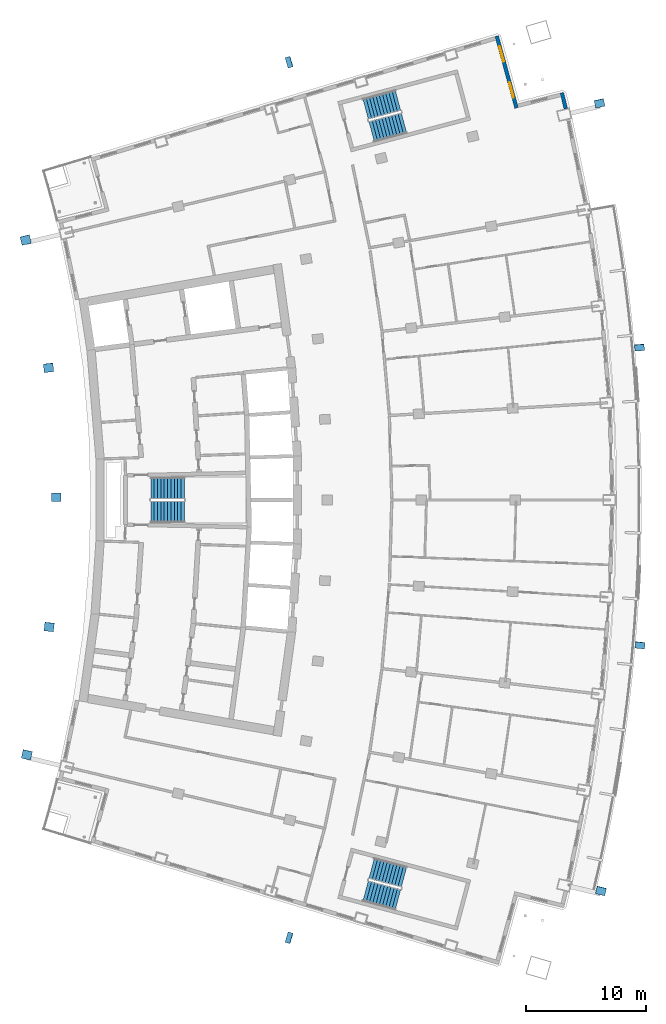
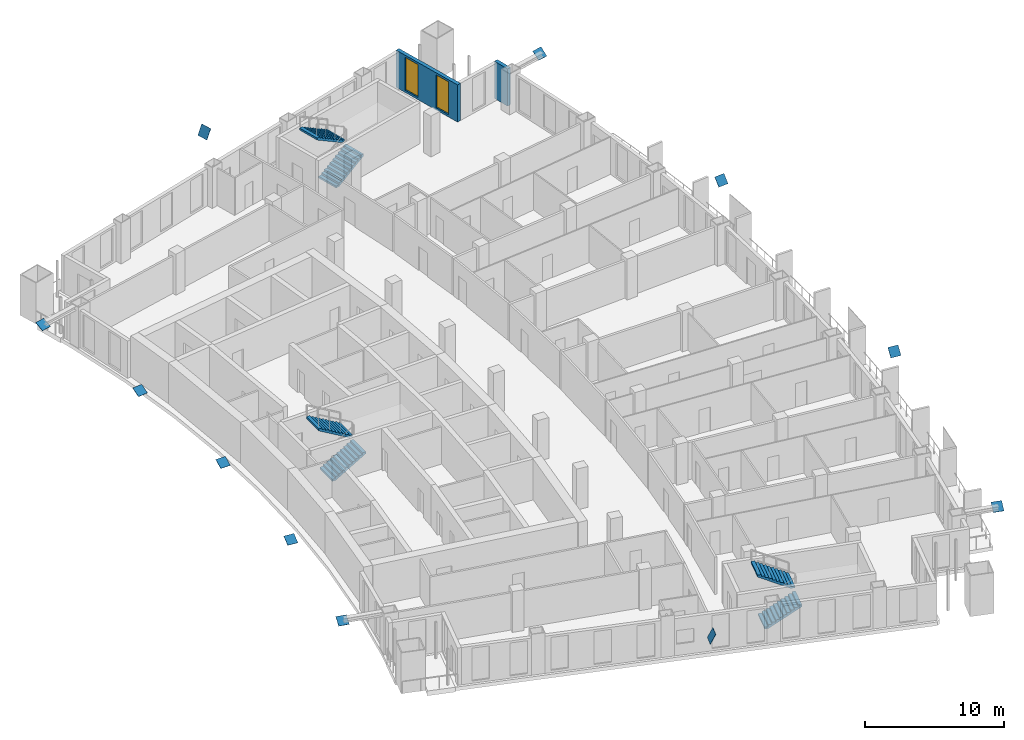
# One storey, part 17 of 20: 11 discrete accessories, 6 stair flights, 2 walls, 2 windows, 2 openings, 3 elements without a shape of their own.
"""IFC4 building model written with IfcOpenShell, lengths in metres."""

from ifc_helpers import new_model, si_unit, direction, frame, frame_2d, origin, origin_2d, place, context, subcontext, project, spatial, polyline, rectangle, outline, extrude, material, layer, layer_set, material_profile, profile_set, type_object, element, fill, aggregate, save


model = new_model("IFC4")

# Units and contexts
model_context = context("Model", 3, precision=1e-05, world=origin(), true_north=direction((0.0, 1.0)))
body_context = subcontext(model_context, "Body", "Model", "MODEL_VIEW")
ifc_project = project(units=[si_unit("LENGTHUNIT", "METRE"), si_unit("AREAUNIT", "SQUARE_METRE"), si_unit("VOLUMEUNIT", "CUBIC_METRE"), si_unit("PLANEANGLEUNIT", "RADIAN"), si_unit("MASSUNIT", "GRAM", prefix="KILO")], contexts=[model_context])

# Site, building, storey
site_placement = place(None, origin())
site = spatial("IfcSite", under=ifc_project, at=site_placement, CompositionType="ELEMENT")
building_placement = place(site_placement, origin())
building = spatial("IfcBuilding", under=site, at=building_placement, Name="Alderwake Tower", CompositionType="ELEMENT")
storey_placement = place(building_placement, frame((0.0, 0.0, 167.60009765625)))
storey = spatial("IfcBuildingStorey", under=building, at=storey_placement, Name="L41", CompositionType="ELEMENT", Elevation=167.60009765625)

# Wall
ifc_material_1 = material(Name="Precast concrete C50/60 spandrel panel", Category="concrete")
ifc_layer_1 = layer(ifc_material_1, 0.300048828125)
ifc_layer_set_1 = layer_set([ifc_layer_1], Name="External wall EW1 Precast concrete C50/60 spandrel")
wall_type_1 = type_object("IfcWallType", Name="External wall EW1 Precast concrete C50/60 spandrel", PredefinedType="SOLIDWALL", material=ifc_layer_set_1)
wall_1_placement = place(storey_placement, frame((55.757080078125, 93.73291015625, 0.0), z_axis=(0.0, 0.0, 1.0), x_axis=(-0.238372588169, 0.971173779099, 0.0)))
element("IfcWall", 1, at=wall_1_placement, inside=storey, type_object=wall_type_1, Name="External wall 20", PredefinedType="SOLIDWALL", context=body_context, shape_type="SweptSolid", body=[
    extrude(rectangle(XDim=1.380615234375, YDim=0.300048828125, at=frame_2d((0.6904296875, 0.0))), origin(), (0.0, 0.0, 1.0), 3.27978515625),
])

# Wall, openings, windows
ifc_material_2 = material(Name="Bronze metal cladding on lightweight framing")
ifc_layer_2 = layer(ifc_material_2, 0.300048828125)
ifc_layer_set_2 = layer_set([ifc_layer_2], Name="External wall EW2 bronze metal cladding")
wall_type_2 = type_object("IfcWallType", Name="External wall EW2 bronze metal cladding", PredefinedType="SOLIDWALL", material=ifc_layer_set_2)
wall_2_placement = place(storey_placement, frame((51.63134765625, 93.80322265625, 0.0), z_axis=(0.0, 0.0, 1.0), x_axis=(-0.265118255006, 0.964215904693, 0.0)))
wall_2 = element("IfcWall", 2, at=wall_2_placement, inside=storey, type_object=wall_type_2, Name="External wall 22", PredefinedType="SOLIDWALL", context=body_context, shape_type="SweptSolid", body=[
    extrude(rectangle(XDim=6.234375, YDim=0.300048828125, at=frame_2d((3.1171875, 0.0))), origin(), (0.0, 0.0, 1.0), 3.27978515625),
])
opening_1_placement = place(wall_2_placement, frame((0.90869140625, 0.0, 0.199951171875)))
opening_1 = element("IfcOpeningElement", 3, at=opening_1_placement, cuts=wall_2, Name="Opening W1", PredefinedType="OPENING", context=body_context, shape_type="SweptSolid", body=[
    extrude(rectangle(XDim=1.300048828125, YDim=2.89990234375, at=frame_2d((0.64990234375, 1.449951171875))), frame((0.0, 0.159912109375, 0.0), z_axis=(0.0, -1.0, 0.0), x_axis=(1.0, 0.0, 0.0)), (0.0, 0.0, 1.0), 0.320068359375),
])
opening_2_placement = place(wall_2_placement, frame((4.025634765625, 0.0, 0.199951171875)))
opening_2 = element("IfcOpeningElement", 4, at=opening_2_placement, cuts=wall_2, Name="Opening W1", PredefinedType="OPENING", context=body_context, shape_type="SweptSolid", body=[
    extrude(rectangle(XDim=1.300048828125, YDim=2.89990234375, at=frame_2d((0.64990234375, 1.449951171875))), frame((0.0, 0.159912109375, 0.0), z_axis=(0.0, -1.0, 0.0), x_axis=(1.0, 0.0, 0.0)), (0.0, 0.0, 1.0), 0.320068359375),
])
ifc_material_3 = material(Name="Bronze tinted glass in aluminium frame", Category="aluminium")
window_type = type_object("IfcWindowType", Name="Window W1 tall fixed and vent", PartitioningType="DOUBLE_PANEL_VERTICAL", PredefinedType="WINDOW", material=ifc_material_3)
window_1_placement = place(opening_1_placement, origin())
window_1 = element("IfcWindow", 5, at=window_1_placement, inside=storey, type_object=window_type, Name="Window W1 tall fixed and vent", OverallHeight=2.89990234375, OverallWidth=1.300048828125, PartitioningType="DOUBLE_PANEL_VERTICAL", PredefinedType="WINDOW", context=body_context, shape_type="SweptSolid", body=[
    extrude(rectangle(XDim=1.300048828125, YDim=2.89990234375, at=frame_2d((0.64990234375, 1.449951171875))), frame((0.0, 0.030029296875, 0.0), z_axis=(0.0, -1.0, 0.0), x_axis=(1.0, 0.0, 0.0)), (0.0, 0.0, 1.0), 0.06005859375),
])
fill(opening_1, window_1)
window_2_placement = place(opening_2_placement, origin())
window_2 = element("IfcWindow", 6, at=window_2_placement, inside=storey, type_object=window_type, Name="Window W1 tall fixed and vent", OverallHeight=2.89990234375, OverallWidth=1.300048828125, PartitioningType="DOUBLE_PANEL_VERTICAL", PredefinedType="WINDOW", context=body_context, shape_type="SweptSolid", body=[
    extrude(rectangle(XDim=1.300048828125, YDim=2.89990234375, at=frame_2d((0.64990234375, 1.449951171875))), frame((0.0, 0.030029296875, 0.0), z_axis=(0.0, -1.0, 0.0), x_axis=(1.0, 0.0, 0.0)), (0.0, 0.0, 1.0), 0.06005859375),
])
fill(opening_2, window_2)

# Stair, stair flights
ifc_material_4 = material(Name="Concrete C40/50", Category="concrete")
stair_type = type_object("IfcStairType", Name="Core exit stair", PredefinedType="HALF_TURN_STAIR", material=ifc_material_4)
stair_1_placement = place(storey_placement, origin())
stair_1 = element("IfcStair", 7, at=stair_1_placement, inside=storey, type_object=stair_type, Name="L41 Exit Stair B", PredefinedType="HALF_TURN_STAIR")
ifc_material_5 = material(Name="Concrete C40/50", Category="concrete")
ifc_layer_3 = layer(ifc_material_5, 0.14990234375)
ifc_layer_set_3 = layer_set([ifc_layer_3], Name="Core stair flight")
stair_flight_type = type_object("IfcStairFlightType", Name="Core stair flight", PredefinedType="STRAIGHT", material=ifc_layer_set_3)
stair_flight_1_placement = place(storey_placement, frame((21.0400390625, 60.02490234375, 0.0), z_axis=(0.0, 0.0, 1.0), x_axis=(1.0, 0.0, 0.0)))
stair_flight_1 = element("IfcStairFlight", 8, at=stair_flight_1_placement, type_object=stair_flight_type, Name="ST-B flight 1", NumberOfRisers=11, NumberOfTreads=10, PredefinedType="STRAIGHT", RiserHeight=0.163636364, TreadLength=0.28, context=body_context, shape_type="SweptSolid", body=[
    extrude(outline(polyline([(0.0, 0.0), (0.0, 0.16357421875), (0.280029296875, 0.16357421875), (0.280029296875, 0.327392578125), (0.56005859375, 0.327392578125), (0.56005859375, 0.490966796875), (0.840087890625, 0.490966796875), (0.840087890625, 0.654541015625), (1.1201171875, 0.654541015625), (1.1201171875, 0.818115234375), (1.39990234375, 0.818115234375), (1.39990234375, 0.98193359375), (1.679931640625, 0.98193359375), (1.679931640625, 1.1455078125), (1.9599609375, 1.1455078125), (1.9599609375, 1.30908203125), (2.239990234375, 1.30908203125), (2.239990234375, 1.47265625), (2.52001953125, 1.47265625), (2.52001953125, 1.636474609375), (2.800048828125, 1.636474609375), (2.800048828125, 1.800048828125), (2.800048828125, 1.462646484375), (0.297119140625, 0.0), (0.0, 0.0)])), frame((0.0, 0.89990234375, 0.0), z_axis=(0.0, -1.0, 0.0), x_axis=(1.0, 0.0, 0.0)), (0.0, 0.0, 1.0), 1.800048828125),
])
stair_flight_2_placement = place(storey_placement, frame((23.840087890625, 61.97509765625, 1.7998046875), z_axis=(0.0, 0.0, 1.0), x_axis=(-1.0, 0.0, 0.0)))
stair_flight_2 = element("IfcStairFlight", 9, at=stair_flight_2_placement, type_object=stair_flight_type, Name="ST-B flight 2", NumberOfRisers=11, NumberOfTreads=10, PredefinedType="STRAIGHT", RiserHeight=0.163636364, TreadLength=0.28, context=body_context, shape_type="SweptSolid", body=[
    extrude(outline(polyline([(0.0, 0.0), (0.0, 0.16357421875), (0.280029296875, 0.16357421875), (0.280029296875, 0.327392578125), (0.56005859375, 0.327392578125), (0.56005859375, 0.490966796875), (0.840087890625, 0.490966796875), (0.840087890625, 0.654541015625), (1.1201171875, 0.654541015625), (1.1201171875, 0.818115234375), (1.39990234375, 0.818115234375), (1.39990234375, 0.98193359375), (1.679931640625, 0.98193359375), (1.679931640625, 1.1455078125), (1.9599609375, 1.1455078125), (1.9599609375, 1.30908203125), (2.239990234375, 1.30908203125), (2.239990234375, 1.47265625), (2.52001953125, 1.47265625), (2.52001953125, 1.636474609375), (2.800048828125, 1.636474609375), (2.800048828125, 1.800048828125), (2.800048828125, 1.462646484375), (0.297119140625, 0.0), (0.0, 0.0)])), frame((0.0, 0.89990234375, 0.0), z_axis=(0.0, -1.0, 0.0), x_axis=(1.0, 0.0, 0.0)), (0.0, 0.0, 1.0), 1.800048828125),
])
aggregate(stair_1, [stair_flight_1, stair_flight_2])

stair_2_placement = place(storey_placement, origin())
stair_2 = element("IfcStair", 10, at=stair_2_placement, inside=storey, type_object=stair_type, Name="L41 Exit Stair A", PredefinedType="HALF_TURN_STAIR")
stair_flight_3_placement = place(storey_placement, frame((39.512939453125, 91.823974609375, 0.0), z_axis=(0.0, 0.0, 1.0), x_axis=(0.966309627437, 0.257382407951, 0.0)))
stair_flight_3 = element("IfcStairFlight", 11, at=stair_flight_3_placement, type_object=stair_flight_type, Name="ST-A flight 1", NumberOfRisers=11, NumberOfTreads=10, PredefinedType="STRAIGHT", RiserHeight=0.163636364, TreadLength=0.28, context=body_context, shape_type="SweptSolid", body=[
    extrude(outline(polyline([(0.0, 0.0), (0.0, 0.16357421875), (0.280029296875, 0.16357421875), (0.280029296875, 0.327392578125), (0.56005859375, 0.327392578125), (0.56005859375, 0.490966796875), (0.840087890625, 0.490966796875), (0.840087890625, 0.654541015625), (1.1201171875, 0.654541015625), (1.1201171875, 0.818115234375), (1.39990234375, 0.818115234375), (1.39990234375, 0.98193359375), (1.679931640625, 0.98193359375), (1.679931640625, 1.1455078125), (1.9599609375, 1.1455078125), (1.9599609375, 1.30908203125), (2.239990234375, 1.30908203125), (2.239990234375, 1.47265625), (2.52001953125, 1.47265625), (2.52001953125, 1.636474609375), (2.800048828125, 1.636474609375), (2.800048828125, 1.800048828125), (2.800048828125, 1.462646484375), (0.297119140625, 0.0), (0.0, 0.0)])), frame((0.0, 0.89990234375, 0.0), z_axis=(0.0, -1.0, 0.0), x_axis=(1.0, 0.0, 0.0)), (0.0, 0.0, 1.0), 1.800048828125),
])
stair_flight_4_placement = place(storey_placement, frame((41.716796875, 94.428955078125, 1.7998046875), z_axis=(0.0, 0.0, 1.0), x_axis=(-0.966309627437, -0.257382407951, 0.0)))
stair_flight_4 = element("IfcStairFlight", 12, at=stair_flight_4_placement, type_object=stair_flight_type, Name="ST-A flight 2", NumberOfRisers=11, NumberOfTreads=10, PredefinedType="STRAIGHT", RiserHeight=0.163636364, TreadLength=0.28, context=body_context, shape_type="SweptSolid", body=[
    extrude(outline(polyline([(0.0, 0.0), (0.0, 0.16357421875), (0.280029296875, 0.16357421875), (0.280029296875, 0.327392578125), (0.56005859375, 0.327392578125), (0.56005859375, 0.490966796875), (0.840087890625, 0.490966796875), (0.840087890625, 0.654541015625), (1.1201171875, 0.654541015625), (1.1201171875, 0.818115234375), (1.39990234375, 0.818115234375), (1.39990234375, 0.98193359375), (1.679931640625, 0.98193359375), (1.679931640625, 1.1455078125), (1.9599609375, 1.1455078125), (1.9599609375, 1.30908203125), (2.239990234375, 1.30908203125), (2.239990234375, 1.47265625), (2.52001953125, 1.47265625), (2.52001953125, 1.636474609375), (2.800048828125, 1.636474609375), (2.800048828125, 1.800048828125), (2.800048828125, 1.462646484375), (0.297119140625, 0.0), (0.0, 0.0)])), frame((0.0, 0.89990234375, 0.0), z_axis=(0.0, -1.0, 0.0), x_axis=(1.0, 0.0, 0.0)), (0.0, 0.0, 1.0), 1.800048828125),
])
aggregate(stair_2, [stair_flight_3, stair_flight_4])

stair_3_placement = place(storey_placement, origin())
stair_3 = element("IfcStair", 13, at=stair_3_placement, inside=storey, type_object=stair_type, Name="L41 Exit Stair C", PredefinedType="HALF_TURN_STAIR")
stair_flight_5_placement = place(storey_placement, frame((39.010986328125, 28.291748046875, 0.0), z_axis=(0.0, 0.0, 1.0), x_axis=(0.966309627437, -0.257382407951, 0.0)))
stair_flight_5 = element("IfcStairFlight", 14, at=stair_flight_5_placement, type_object=stair_flight_type, Name="ST-C flight 1", NumberOfRisers=11, NumberOfTreads=10, PredefinedType="STRAIGHT", RiserHeight=0.163636364, TreadLength=0.28, context=body_context, shape_type="SweptSolid", body=[
    extrude(outline(polyline([(0.0, 0.0), (0.0, 0.16357421875), (0.280029296875, 0.16357421875), (0.280029296875, 0.327392578125), (0.56005859375, 0.327392578125), (0.56005859375, 0.490966796875), (0.840087890625, 0.490966796875), (0.840087890625, 0.654541015625), (1.1201171875, 0.654541015625), (1.1201171875, 0.818115234375), (1.39990234375, 0.818115234375), (1.39990234375, 0.98193359375), (1.679931640625, 0.98193359375), (1.679931640625, 1.1455078125), (1.9599609375, 1.1455078125), (1.9599609375, 1.30908203125), (2.239990234375, 1.30908203125), (2.239990234375, 1.47265625), (2.52001953125, 1.47265625), (2.52001953125, 1.636474609375), (2.800048828125, 1.636474609375), (2.800048828125, 1.800048828125), (2.800048828125, 1.462646484375), (0.297119140625, 0.0), (0.0, 0.0)])), frame((0.0, 0.89990234375, 0.0), z_axis=(0.0, -1.0, 0.0), x_axis=(1.0, 0.0, 0.0)), (0.0, 0.0, 1.0), 1.800048828125),
])
stair_flight_6_placement = place(storey_placement, frame((42.218505859375, 29.455322265625, 1.7998046875), z_axis=(0.0, 0.0, 1.0), x_axis=(-0.966309627437, 0.257382407951, 0.0)))
stair_flight_6 = element("IfcStairFlight", 15, at=stair_flight_6_placement, type_object=stair_flight_type, Name="ST-C flight 2", NumberOfRisers=11, NumberOfTreads=10, PredefinedType="STRAIGHT", RiserHeight=0.163636364, TreadLength=0.28, context=body_context, shape_type="SweptSolid", body=[
    extrude(outline(polyline([(0.0, 0.0), (0.0, 0.16357421875), (0.280029296875, 0.16357421875), (0.280029296875, 0.327392578125), (0.56005859375, 0.327392578125), (0.56005859375, 0.490966796875), (0.840087890625, 0.490966796875), (0.840087890625, 0.654541015625), (1.1201171875, 0.654541015625), (1.1201171875, 0.818115234375), (1.39990234375, 0.818115234375), (1.39990234375, 0.98193359375), (1.679931640625, 0.98193359375), (1.679931640625, 1.1455078125), (1.9599609375, 1.1455078125), (1.9599609375, 1.30908203125), (2.239990234375, 1.30908203125), (2.239990234375, 1.47265625), (2.52001953125, 1.47265625), (2.52001953125, 1.636474609375), (2.800048828125, 1.636474609375), (2.800048828125, 1.800048828125), (2.800048828125, 1.462646484375), (0.297119140625, 0.0), (0.0, 0.0)])), frame((0.0, 0.89990234375, 0.0), z_axis=(0.0, -1.0, 0.0), x_axis=(1.0, 0.0, 0.0)), (0.0, 0.0, 1.0), 1.800048828125),
])
aggregate(stair_3, [stair_flight_5, stair_flight_6])

# Discrete accessories
ifc_material_6 = material(Name="Steel ASTM A572 Grade 50", Category="steel")
ifc_material_profile_1 = material_profile(ifc_material_6, rectangle(XDim=0.800048828125, YDim=0.800048828125, at=origin_2d()), Name="BOX 800X800X50 cap")
ifc_profile_set_1 = profile_set([ifc_material_profile_1], Name="Steel ASTM A572 Grade 50")
discrete_accessory_type_1 = type_object("IfcDiscreteAccessoryType", Name="End cap plate BOX 800X800X50", PredefinedType="USERDEFINED", material=ifc_profile_set_1)
for number, where, z_axis, x_axis, name in (
    (16, (58.69775390625, 28.296630859375, 3.287109375), (-0.154624927282, -0.594085246926, 0.789400944545), (0.967757903755, -0.251882194128, 0.0), "End cap BRF3.2.2B1 X"),
    (17, (61.974365234375, 48.85546875, 3.34814453125), (-0.07322641444, -0.748536680943, 0.65903772996), (0.995249100669, -0.097361325065, 0.0), "End cap BRF3.2.4B1 X"),
    (18, (61.92041015625, 73.759765625, 3.34814453125), (0.057014298419, -0.749330779223, 0.659736881707), (0.997117895368, 0.075867665952, 0.0), "End cap BRF3.2.7B1 X"),
    (19, (58.580810546875, 94.1953125, 3.287109375), (0.130029742626, -0.601387559645, 0.78830531467), (0.97741416544, 0.211332792528, 0.0), "End cap BRF3.2.10B1 X"),
    (20, (10.669189453125, 39.6826171875, 3.1533203125), (-0.097461175546, -0.438575289956, 0.893394109171), (0.976187060184, -0.216930457819, 0.0), "End cap BRR3.2.2B1 X"),
    (21, (12.5341796875, 50.381591796875, 3.1533203125), (-0.048728980643, -0.446682322562, 0.893364645123), (0.994102176608, -0.108447510175, 0.0), "End cap BRR3.2.4B1 X"),
    (22, (13.141357421875, 61.224853515625, 3.1533203125), (0.0, -0.4472135955, 0.894427191), (1.0, 0.0, 0.0), "End cap BRR3.2.6B1 X"),
    (23, (12.48193359375, 72.065185546875, 3.1533203125), (0.048728980643, -0.446682322562, 0.893364645123), (0.994102176608, 0.108447510175, 0.0), "End cap BRR3.2.8B1 X"),
    (24, (10.565185546875, 82.755126953125, 3.1533203125), (0.105495990526, -0.438214114494, 0.892658381376), (0.972223637158, 0.234053838575, 0.0), "End cap BRR3.2.10B1 X"),
):
    element("IfcDiscreteAccessory", number, at=place(storey_placement, frame(where, z_axis=z_axis, x_axis=x_axis)), inside=storey, type_object=discrete_accessory_type_1, Name=name, ObjectType="END CAP", PredefinedType="USERDEFINED", context=body_context, shape_type="SweptSolid", body=[
        extrude(rectangle(XDim=0.800048828125, YDim=0.800048828125, at=origin_2d()), origin(), (0.0, 0.0, 1.0), 0.030029296875),
    ])
ifc_material_7 = material(Name="Steel ASTM A572 Grade 50", Category="steel")
ifc_material_profile_2 = material_profile(ifc_material_7, rectangle(XDim=0.89990234375, YDim=0.89990234375, at=origin_2d()), Name="BOX 900X900X55 cap")
ifc_profile_set_2 = profile_set([ifc_material_profile_2], Name="Steel ASTM A572 Grade 50")
discrete_accessory_type_2 = type_object("IfcDiscreteAccessoryType", Name="End cap plate BOX 900X900X55", PredefinedType="USERDEFINED", material=ifc_profile_set_2)
for number, where, z_axis, x_axis, name in (
    (25, (32.619384765625, 24.369384765625, 3.397216796875), (-0.853856093733, 0.252090846721, 0.455389916658), (-0.283155210121, -0.959074098796, 0.0), "End cap BRS3.2.0B1 X"),
    (26, (32.619384765625, 97.630615234375, 3.397216796875), (-0.853856093733, -0.252090846721, 0.455389916658), (0.283155210121, -0.959074098796, 0.0), "End cap BRN3.2.0B1 X"),
):
    element("IfcDiscreteAccessory", number, at=place(storey_placement, frame(where, z_axis=z_axis, x_axis=x_axis)), inside=storey, type_object=discrete_accessory_type_2, Name=name, ObjectType="END CAP", PredefinedType="USERDEFINED", context=body_context, shape_type="SweptSolid", body=[
        extrude(rectangle(XDim=0.89990234375, YDim=0.89990234375, at=origin_2d()), origin(), (0.0, 0.0, 1.0), 0.030029296875),
    ])

save(model, "model.ifc")
